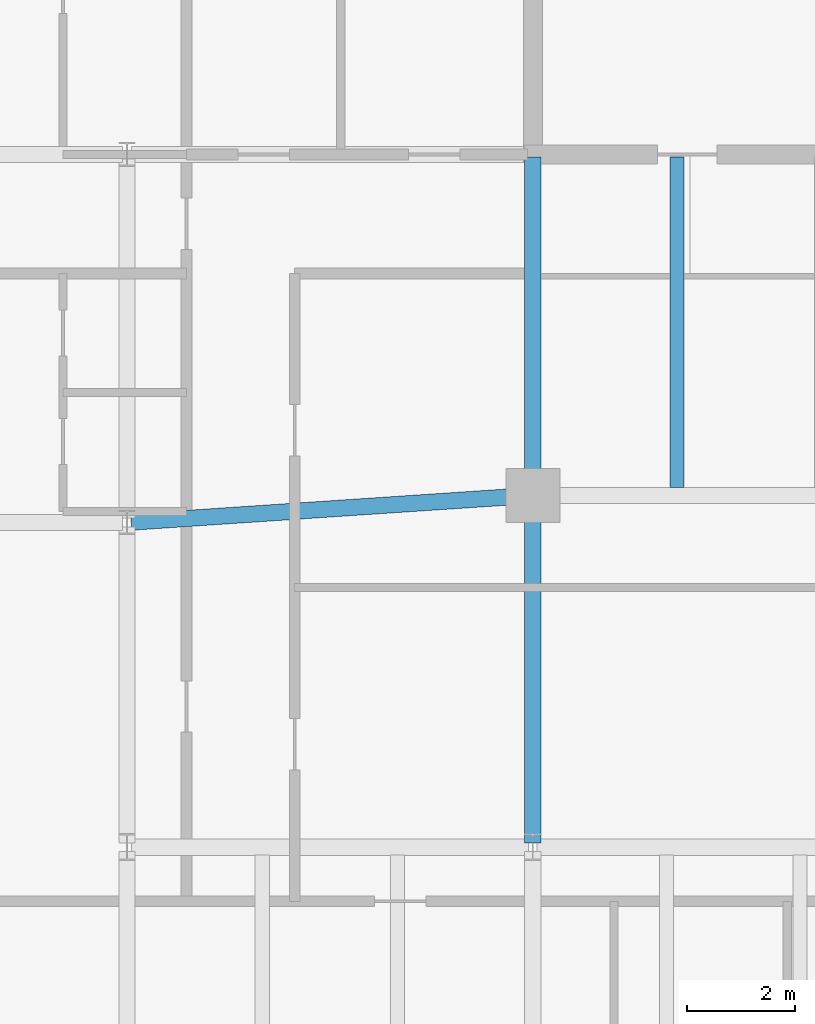
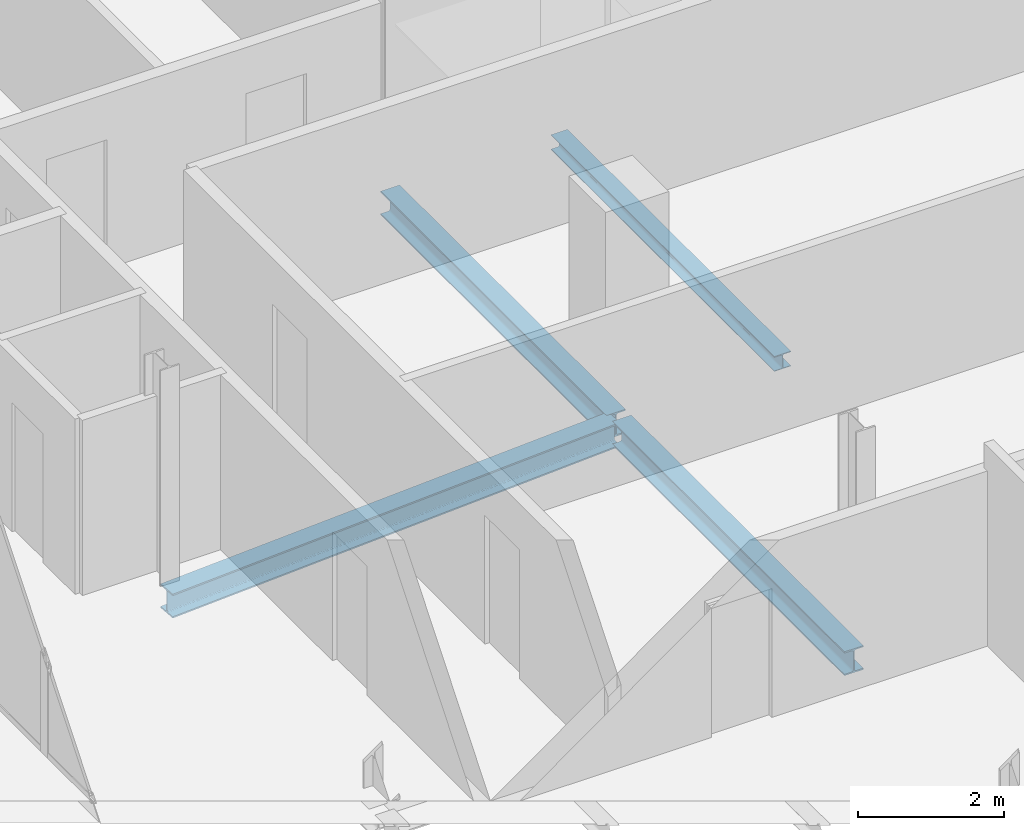
# One storey, part 8 of 23: 4 beams.
"""IFC4 building model written with IfcOpenShell, lengths in metres."""

import ifcopenshell
import ifcopenshell.guid

model = None  # the IFC model being written
_history = None  # IfcOwnerHistory: only IFC2X3 demands one
_inside = {}  # id of a spatial element -> (the spatial element, [elements in it])
_under = {}  # id of a project, library or spatial element -> (it, [spatial elements below it])
_declared = {}  # id of a project -> (the project, [libraries it declares])
_typed = {}  # id of a type object -> (the type object, [elements of that type])
_made_of = {}  # id of a material, layer set ... -> (it, [elements and type objects made of it])


def new_model(schema):
    """Start an empty IFC model of exactly this schema.

    Asked for "IFC4X3", IfcOpenShell would pick the latest addendum, in which some entities
    have other attributes; the version numbers below select the first issue.
    IFC2X3 requires an IfcOwnerHistory on every rooted entity: one is made here for all.
    """
    global model, _history
    if schema == "IFC4X3":
        model = ifcopenshell.file(schema_version=(4, 3, 0, 0))
    else:
        model = ifcopenshell.file(schema=schema)
    _inside.clear()
    _under.clear()
    _declared.clear()
    _typed.clear()
    _made_of.clear()
    _history = None
    if model.schema == "IFC2X3":
        org = make("IfcOrganization", Name="unknown")
        user = make(
            "IfcPersonAndOrganization",
            ThePerson=make("IfcPerson", FamilyName="unknown"),
            TheOrganization=org,
        )
        app = make(
            "IfcApplication",
            ApplicationDeveloper=org,
            Version="unknown",
            ApplicationFullName="unknown",
            ApplicationIdentifier="unknown",
        )
        _history = make(
            "IfcOwnerHistory",
            OwningUser=user,
            OwningApplication=app,
            ChangeAction="ADDED",
            CreationDate=0,
        )
    return model


def make(cls, **values):
    """One entity of the class cls with the attributes given. An attribute that is None is left unset."""
    return model.create_entity(
        cls, **{name: value for name, value in values.items() if value is not None}
    )


def rooted(cls, **values):
    """An entity with a GlobalId (a new one), such as an element, a storey or a relation."""
    return make(cls, GlobalId=ifcopenshell.guid.new(), OwnerHistory=_history, **values)


def si_unit(unit_type, name, prefix=None):
    """IfcSIUnit, for example si_unit("LENGTHUNIT", "METRE", prefix="MILLI")."""
    return make("IfcSIUnit", UnitType=unit_type, Prefix=prefix, Name=name)


def assignment(units):
    """IfcUnitAssignment: the units of a project."""
    return None if units is None else make("IfcUnitAssignment", Units=units)


def point(xyz):
    """IfcCartesianPoint."""
    return None if xyz is None else make("IfcCartesianPoint", Coordinates=xyz)


def direction(xyz):
    """IfcDirection."""
    return None if xyz is None else make("IfcDirection", DirectionRatios=xyz)


def frame(location, z_axis=None, x_axis=None):
    """IfcAxis2Placement3D, a coordinate frame: its origin and axes. An axis left out is left unset."""
    return make(
        "IfcAxis2Placement3D",
        Location=point(location),
        Axis=direction(z_axis),
        RefDirection=direction(x_axis),
    )


def frame_2d(location, x_axis=None):
    """IfcAxis2Placement2D, a coordinate frame in the plane: its origin and x axis."""
    return make(
        "IfcAxis2Placement2D", Location=point(location), RefDirection=direction(x_axis)
    )


def origin():
    """The frame at (0, 0, 0) with its axes left unset."""
    return frame((0.0, 0.0, 0.0))


def origin_2d():
    """The frame at (0, 0) in the plane with its x axis left unset."""
    return frame_2d((0.0, 0.0))


def place(relative_to, where):
    """IfcLocalPlacement: puts the frame where relative to a parent placement (None: the world)."""
    return make(
        "IfcLocalPlacement", PlacementRelTo=relative_to, RelativePlacement=where
    )


def context(
    kind, dimensions, precision=None, world=None, true_north=None, identifier=None
):
    """IfcGeometricRepresentationContext, for example the 3D "Model" context."""
    return make(
        "IfcGeometricRepresentationContext",
        ContextIdentifier=identifier,
        ContextType=kind,
        CoordinateSpaceDimension=dimensions,
        Precision=precision,
        WorldCoordinateSystem=world,
        TrueNorth=true_north,
    )


def subcontext(parent, identifier, kind, view, scale=None):
    """IfcGeometricRepresentationSubContext, for example "Body" below "Model"."""
    return make(
        "IfcGeometricRepresentationSubContext",
        ContextIdentifier=identifier,
        ContextType=kind,
        ParentContext=parent,
        TargetScale=scale,
        TargetView=view,
    )


def project(units=None, contexts=None):
    """IfcProject with its units and contexts."""
    return rooted(
        "IfcProject",
        Name="project",
        RepresentationContexts=contexts,
        UnitsInContext=assignment(units),
    )


def spatial(cls, under=None, at=None, **own):
    """A site, building, storey or space (cls), placed at a placement, below another one or the project."""
    s = rooted(cls, ObjectPlacement=at, **own)
    if under is not None:
        _under.setdefault(under.id(), (under, []))[1].append(s)
    return s


def profile(cls, at=None, kind="AREA", **sizes):
    """A parametric profile (cls). Its sizes go by their IFC names, for example OverallWidth=200.0."""
    return make(cls, ProfileType=kind, Position=at, **sizes)


def i_section(**sizes):
    """IfcIShapeProfileDef."""
    return profile("IfcIShapeProfileDef", **sizes)


def extrude(swept, where, along, depth):
    """IfcExtrudedAreaSolid: the profile swept, set in the frame where, extruded along a direction by depth."""
    return make(
        "IfcExtrudedAreaSolid",
        SweptArea=swept,
        Position=where,
        ExtrudedDirection=direction(along),
        Depth=depth,
    )


def shape(context_of_items, identifier, shape_type, items):
    """IfcShapeRepresentation: the items that make up one representation, for example the "Body"."""
    return make(
        "IfcShapeRepresentation",
        ContextOfItems=context_of_items,
        RepresentationIdentifier=identifier,
        RepresentationType=shape_type,
        Items=items,
    )


def material(Name=None, Category=None):
    """IfcMaterial."""
    return make("IfcMaterial", Name=Name, Category=Category)


def material_profile(
    of_material, cross_section, Name=None, Category=None, Priority=None
):
    """IfcMaterialProfile: a cross section and its material."""
    return make(
        "IfcMaterialProfile",
        Name=Name,
        Material=of_material,
        Profile=cross_section,
        Priority=Priority,
        Category=Category,
    )


def profile_set(profiles, Name=None, composite=None):
    """IfcMaterialProfileSet."""
    return make(
        "IfcMaterialProfileSet",
        Name=Name,
        MaterialProfiles=profiles,
        CompositeProfile=composite,
    )


def made_of(thing, what):
    """Note that an element or type object is made of a material, layer set ...; save() writes the relation."""
    if what is not None:
        _made_of.setdefault(what.id(), (what, []))[1].append(thing)
    return thing


def type_object(cls, material=None, **own):
    """A type object (cls), such as IfcWallType, which elements share."""
    return made_of(rooted(cls, **own), material)


def element(
    cls,
    number,
    at=None,
    inside=None,
    cuts=None,
    type_object=None,
    material=None,
    context=None,
    identifier="Body",
    shape_type=None,
    held_by="IfcProductDefinitionShape",
    body=None,
    shapes=None,
    **own,
):
    """One element of the class cls, such as IfcWall. Its Tag is "e" and its number.

    at: its placement. inside: the storey or other place that contains it. cuts: it is an
    opening in that element (IfcRelVoidsElement). A single representation is given by context,
    identifier, shape_type and body (its items); several are given by shapes. held_by: the class
    of the entity that holds the representations. save() writes the other relations.
    """
    e = rooted(cls, Tag="e%d" % number, ObjectPlacement=at, **own)
    if body is not None:
        shapes = [shape(context, identifier, shape_type, body)]
    if shapes is not None:
        e.Representation = make(held_by, Representations=shapes)
    if inside is not None:
        _inside.setdefault(inside.id(), (inside, []))[1].append(e)
    if cuts is not None:
        rooted(
            "IfcRelVoidsElement", RelatingBuildingElement=cuts, RelatedOpeningElement=e
        )
    if type_object is not None:
        _typed.setdefault(type_object.id(), (type_object, []))[1].append(e)
    return made_of(e, material)


def aggregate(whole, parts):
    """IfcRelAggregates: a whole, such as a stair, and the parts it consists of."""
    return rooted("IfcRelAggregates", RelatingObject=whole, RelatedObjects=parts)


def save(model, path):
    """Write the relations noted so far, then the file.

    IfcRelAggregates (storeys below a building ...), IfcRelContainedInSpatialStructure (elements
    in a storey), IfcRelDefinesByType, IfcRelAssociatesMaterial and IfcRelDeclares: one each for
    every whole, place, type object, material and project.
    """
    for whole, parts in _under.values():
        aggregate(whole, parts)
    for where, things in _inside.values():
        rooted(
            "IfcRelContainedInSpatialStructure",
            RelatedElements=things,
            RelatingStructure=where,
        )
    for kind, things in _typed.values():
        rooted("IfcRelDefinesByType", RelatedObjects=things, RelatingType=kind)
    for what, things in _made_of.values():
        rooted("IfcRelAssociatesMaterial", RelatedObjects=things, RelatingMaterial=what)
    for by, libraries in _declared.values():
        rooted("IfcRelDeclares", RelatingContext=by, RelatedDefinitions=libraries)
    model.write(path)


model = new_model("IFC4")

# Units and contexts
model_context = context("Model", 3, precision=1e-05, world=origin(), true_north=direction((0.0, 1.0)))
body_context = subcontext(model_context, "Body", "Model", "MODEL_VIEW")
ifc_project = project(units=[si_unit("LENGTHUNIT", "METRE"), si_unit("AREAUNIT", "SQUARE_METRE"), si_unit("VOLUMEUNIT", "CUBIC_METRE"), si_unit("PLANEANGLEUNIT", "RADIAN"), si_unit("MASSUNIT", "GRAM", prefix="KILO")], contexts=[model_context])

# Site, building, storey
site_placement = place(None, origin())
site = spatial("IfcSite", under=ifc_project, at=site_placement, CompositionType="ELEMENT")
building_placement = place(site_placement, origin())
building = spatial("IfcBuilding", under=site, at=building_placement, Name="Catumbela Crestline Tower", CompositionType="ELEMENT")
storey_placement = place(building_placement, frame((0.0, 0.0, 193.8)))
storey = spatial("IfcBuildingStorey", under=building, at=storey_placement, Name="L50", CompositionType="ELEMENT", Elevation=193.8)

# Beams
ifc_material = material(Name="Structural steel S355J2", Category="steel")
ifc_material_profile_1 = material_profile(ifc_material, i_section(OverallWidth=0.3, OverallDepth=0.4, WebThickness=0.0135, FlangeThickness=0.024, FilletRadius=0.027, at=origin_2d()), Name="HEB 400")
ifc_profile_set_1 = profile_set([ifc_material_profile_1], Name="Structural steel S355J2")
beam_type_1 = type_object("IfcBeamType", Name="BG-HEB400", PredefinedType="BEAM", material=ifc_profile_set_1)
beam_1_placement = place(storey_placement, frame((8.5798, 24.0053, -0.46), z_axis=(0.997784796964, 0.066524423687, 0.0), x_axis=(-0.066524423687, 0.997784796964, 0.0)))
element("IfcBeam", 1, at=beam_1_placement, inside=storey, type_object=beam_type_1, Name="L50 Beam BM-L50-S02", PredefinedType="BEAM", context=body_context, shape_type="SweptSolid", body=[
    extrude(i_section(OverallWidth=0.3, OverallDepth=0.4, WebThickness=0.0135, FlangeThickness=0.024, FilletRadius=0.027, at=origin_2d()), origin(), (0.0, 0.0, 1.0), 7.3567),
])
beam_2_placement = place(storey_placement, frame((16.0, 24.58, -0.46), z_axis=(0.0, 1.0, 0.0), x_axis=(-1.0, 0.0, 0.0)))
element("IfcBeam", 2, at=beam_2_placement, inside=storey, type_object=beam_type_1, Name="L50 Beam BM-L50-SNS17", PredefinedType="BEAM", context=body_context, shape_type="SweptSolid", body=[
    extrude(i_section(OverallWidth=0.3, OverallDepth=0.4, WebThickness=0.0135, FlangeThickness=0.024, FilletRadius=0.027, at=origin_2d()), origin(), (0.0, 0.0, 1.0), 6.17),
])
beam_3_placement = place(storey_placement, frame((16.0, 18.08, -0.46), z_axis=(0.0, 1.0, 0.0), x_axis=(-1.0, 0.0, 0.0)))
element("IfcBeam", 3, at=beam_3_placement, inside=storey, type_object=beam_type_1, Name="L50 Beam BM-L50-WNS42", PredefinedType="BEAM", context=body_context, shape_type="SweptSolid", body=[
    extrude(i_section(OverallWidth=0.3, OverallDepth=0.4, WebThickness=0.0135, FlangeThickness=0.024, FilletRadius=0.027, at=origin_2d()), origin(), (0.0, 0.0, 1.0), 6.34),
])
ifc_material_profile_2 = material_profile(ifc_material, i_section(OverallWidth=0.26, OverallDepth=0.25, WebThickness=0.0075, FlangeThickness=0.0125, FilletRadius=0.024, at=origin_2d()), Name="HEA 260")
ifc_profile_set_2 = profile_set([ifc_material_profile_2], Name="Structural steel S355J2")
beam_type_2 = type_object("IfcBeamType", Name="BJ-HEA260", PredefinedType="JOIST", material=ifc_profile_set_2)
beam_4_placement = place(storey_placement, frame((18.667, 24.647, -0.385), z_axis=(0.0, 1.0, 0.0), x_axis=(-1.0, 0.0, 0.0)))
element("IfcBeam", 4, at=beam_4_placement, inside=storey, type_object=beam_type_2, Name="L50 Joist JS-L50-SP26", PredefinedType="JOIST", context=body_context, shape_type="SweptSolid", body=[
    extrude(i_section(OverallWidth=0.26, OverallDepth=0.25, WebThickness=0.0075, FlangeThickness=0.0125, FilletRadius=0.024, at=origin_2d()), origin(), (0.0, 0.0, 1.0), 6.103),
])

save(model, "model.ifc")
